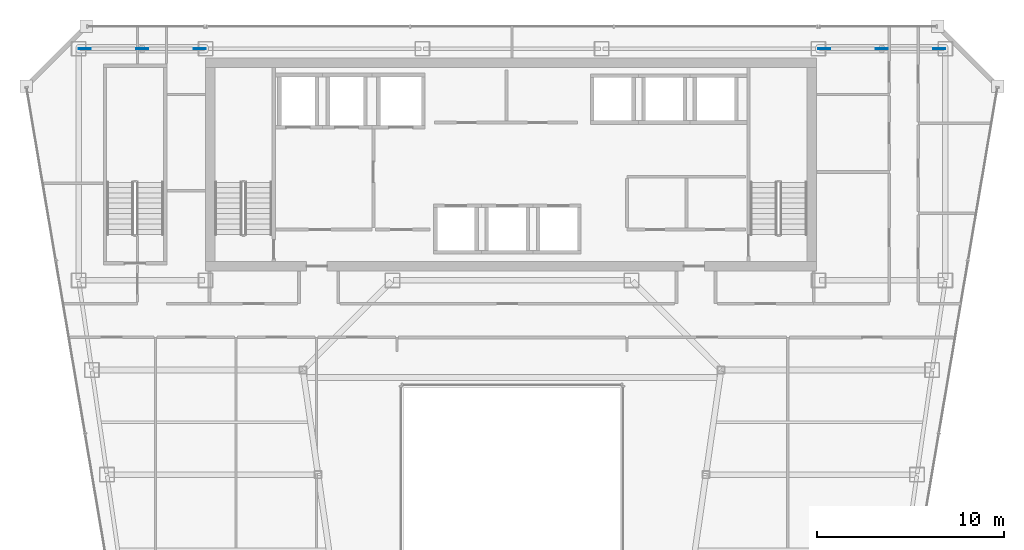
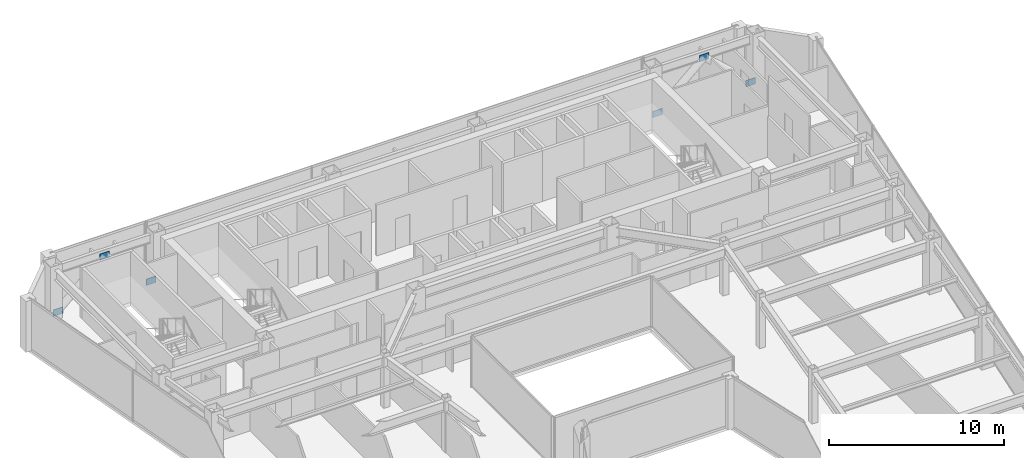
# One storey, part 29 of 35: 6 plates.
"""IFC4 building model written with IfcOpenShell, lengths in metres."""

import ifcopenshell
import ifcopenshell.guid

model = None  # the IFC model being written
_history = None  # IfcOwnerHistory: only IFC2X3 demands one
_inside = {}  # id of a spatial element -> (the spatial element, [elements in it])
_under = {}  # id of a project, library or spatial element -> (it, [spatial elements below it])
_declared = {}  # id of a project -> (the project, [libraries it declares])
_typed = {}  # id of a type object -> (the type object, [elements of that type])
_made_of = {}  # id of a material, layer set ... -> (it, [elements and type objects made of it])


def new_model(schema):
    """Start an empty IFC model of exactly this schema.

    Asked for "IFC4X3", IfcOpenShell would pick the latest addendum, in which some entities
    have other attributes; the version numbers below select the first issue.
    IFC2X3 requires an IfcOwnerHistory on every rooted entity: one is made here for all.
    """
    global model, _history
    if schema == "IFC4X3":
        model = ifcopenshell.file(schema_version=(4, 3, 0, 0))
    else:
        model = ifcopenshell.file(schema=schema)
    _inside.clear()
    _under.clear()
    _declared.clear()
    _typed.clear()
    _made_of.clear()
    _history = None
    if model.schema == "IFC2X3":
        org = make("IfcOrganization", Name="unknown")
        user = make(
            "IfcPersonAndOrganization",
            ThePerson=make("IfcPerson", FamilyName="unknown"),
            TheOrganization=org,
        )
        app = make(
            "IfcApplication",
            ApplicationDeveloper=org,
            Version="unknown",
            ApplicationFullName="unknown",
            ApplicationIdentifier="unknown",
        )
        _history = make(
            "IfcOwnerHistory",
            OwningUser=user,
            OwningApplication=app,
            ChangeAction="ADDED",
            CreationDate=0,
        )
    return model


def make(cls, **values):
    """One entity of the class cls with the attributes given. An attribute that is None is left unset."""
    return model.create_entity(
        cls, **{name: value for name, value in values.items() if value is not None}
    )


def rooted(cls, **values):
    """An entity with a GlobalId (a new one), such as an element, a storey or a relation."""
    return make(cls, GlobalId=ifcopenshell.guid.new(), OwnerHistory=_history, **values)


def si_unit(unit_type, name, prefix=None):
    """IfcSIUnit, for example si_unit("LENGTHUNIT", "METRE", prefix="MILLI")."""
    return make("IfcSIUnit", UnitType=unit_type, Prefix=prefix, Name=name)


def assignment(units):
    """IfcUnitAssignment: the units of a project."""
    return None if units is None else make("IfcUnitAssignment", Units=units)


def point(xyz):
    """IfcCartesianPoint."""
    return None if xyz is None else make("IfcCartesianPoint", Coordinates=xyz)


def direction(xyz):
    """IfcDirection."""
    return None if xyz is None else make("IfcDirection", DirectionRatios=xyz)


def frame(location, z_axis=None, x_axis=None):
    """IfcAxis2Placement3D, a coordinate frame: its origin and axes. An axis left out is left unset."""
    return make(
        "IfcAxis2Placement3D",
        Location=point(location),
        Axis=direction(z_axis),
        RefDirection=direction(x_axis),
    )


def frame_2d(location, x_axis=None):
    """IfcAxis2Placement2D, a coordinate frame in the plane: its origin and x axis."""
    return make(
        "IfcAxis2Placement2D", Location=point(location), RefDirection=direction(x_axis)
    )


def origin():
    """The frame at (0, 0, 0) with its axes left unset."""
    return frame((0.0, 0.0, 0.0))


def origin_2d():
    """The frame at (0, 0) in the plane with its x axis left unset."""
    return frame_2d((0.0, 0.0))


def place(relative_to, where):
    """IfcLocalPlacement: puts the frame where relative to a parent placement (None: the world)."""
    return make(
        "IfcLocalPlacement", PlacementRelTo=relative_to, RelativePlacement=where
    )


def context(
    kind, dimensions, precision=None, world=None, true_north=None, identifier=None
):
    """IfcGeometricRepresentationContext, for example the 3D "Model" context."""
    return make(
        "IfcGeometricRepresentationContext",
        ContextIdentifier=identifier,
        ContextType=kind,
        CoordinateSpaceDimension=dimensions,
        Precision=precision,
        WorldCoordinateSystem=world,
        TrueNorth=true_north,
    )


def subcontext(parent, identifier, kind, view, scale=None):
    """IfcGeometricRepresentationSubContext, for example "Body" below "Model"."""
    return make(
        "IfcGeometricRepresentationSubContext",
        ContextIdentifier=identifier,
        ContextType=kind,
        ParentContext=parent,
        TargetScale=scale,
        TargetView=view,
    )


def project(units=None, contexts=None):
    """IfcProject with its units and contexts."""
    return rooted(
        "IfcProject",
        Name="project",
        RepresentationContexts=contexts,
        UnitsInContext=assignment(units),
    )


def spatial(cls, under=None, at=None, **own):
    """A site, building, storey or space (cls), placed at a placement, below another one or the project."""
    s = rooted(cls, ObjectPlacement=at, **own)
    if under is not None:
        _under.setdefault(under.id(), (under, []))[1].append(s)
    return s


def profile(cls, at=None, kind="AREA", **sizes):
    """A parametric profile (cls). Its sizes go by their IFC names, for example OverallWidth=200.0."""
    return make(cls, ProfileType=kind, Position=at, **sizes)


def rectangle(**sizes):
    """IfcRectangleProfileDef."""
    return profile("IfcRectangleProfileDef", **sizes)


def extrude(swept, where, along, depth):
    """IfcExtrudedAreaSolid: the profile swept, set in the frame where, extruded along a direction by depth."""
    return make(
        "IfcExtrudedAreaSolid",
        SweptArea=swept,
        Position=where,
        ExtrudedDirection=direction(along),
        Depth=depth,
    )


def shape(context_of_items, identifier, shape_type, items):
    """IfcShapeRepresentation: the items that make up one representation, for example the "Body"."""
    return make(
        "IfcShapeRepresentation",
        ContextOfItems=context_of_items,
        RepresentationIdentifier=identifier,
        RepresentationType=shape_type,
        Items=items,
    )


def material(Name=None, Category=None):
    """IfcMaterial."""
    return make("IfcMaterial", Name=Name, Category=Category)


def layer(
    of_material, thickness, ventilated=None, Name=None, Category=None, Priority=None
):
    """IfcMaterialLayer: one layer of a wall or slab, of a material (None: an air gap)."""
    return make(
        "IfcMaterialLayer",
        Material=of_material,
        LayerThickness=thickness,
        IsVentilated=ventilated,
        Name=Name,
        Category=Category,
        Priority=Priority,
    )


def layer_set(layers, Name=None):
    """IfcMaterialLayerSet."""
    return make("IfcMaterialLayerSet", MaterialLayers=layers, LayerSetName=Name)


def made_of(thing, what):
    """Note that an element or type object is made of a material, layer set ...; save() writes the relation."""
    if what is not None:
        _made_of.setdefault(what.id(), (what, []))[1].append(thing)
    return thing


def type_object(cls, material=None, **own):
    """A type object (cls), such as IfcWallType, which elements share."""
    return made_of(rooted(cls, **own), material)


def element(
    cls,
    number,
    at=None,
    inside=None,
    cuts=None,
    type_object=None,
    material=None,
    context=None,
    identifier="Body",
    shape_type=None,
    held_by="IfcProductDefinitionShape",
    body=None,
    shapes=None,
    **own,
):
    """One element of the class cls, such as IfcWall. Its Tag is "e" and its number.

    at: its placement. inside: the storey or other place that contains it. cuts: it is an
    opening in that element (IfcRelVoidsElement). A single representation is given by context,
    identifier, shape_type and body (its items); several are given by shapes. held_by: the class
    of the entity that holds the representations. save() writes the other relations.
    """
    e = rooted(cls, Tag="e%d" % number, ObjectPlacement=at, **own)
    if body is not None:
        shapes = [shape(context, identifier, shape_type, body)]
    if shapes is not None:
        e.Representation = make(held_by, Representations=shapes)
    if inside is not None:
        _inside.setdefault(inside.id(), (inside, []))[1].append(e)
    if cuts is not None:
        rooted(
            "IfcRelVoidsElement", RelatingBuildingElement=cuts, RelatedOpeningElement=e
        )
    if type_object is not None:
        _typed.setdefault(type_object.id(), (type_object, []))[1].append(e)
    return made_of(e, material)


def aggregate(whole, parts):
    """IfcRelAggregates: a whole, such as a stair, and the parts it consists of."""
    return rooted("IfcRelAggregates", RelatingObject=whole, RelatedObjects=parts)


def save(model, path):
    """Write the relations noted so far, then the file.

    IfcRelAggregates (storeys below a building ...), IfcRelContainedInSpatialStructure (elements
    in a storey), IfcRelDefinesByType, IfcRelAssociatesMaterial and IfcRelDeclares: one each for
    every whole, place, type object, material and project.
    """
    for whole, parts in _under.values():
        aggregate(whole, parts)
    for where, things in _inside.values():
        rooted(
            "IfcRelContainedInSpatialStructure",
            RelatedElements=things,
            RelatingStructure=where,
        )
    for kind, things in _typed.values():
        rooted("IfcRelDefinesByType", RelatedObjects=things, RelatingType=kind)
    for what, things in _made_of.values():
        rooted("IfcRelAssociatesMaterial", RelatedObjects=things, RelatingMaterial=what)
    for by, libraries in _declared.values():
        rooted("IfcRelDeclares", RelatingContext=by, RelatedDefinitions=libraries)
    model.write(path)


model = new_model("IFC4")

# Units and contexts
model_context = context("Model", 3, precision=1e-05, world=origin(), true_north=direction((0.0, 1.0)))
body_context = subcontext(model_context, "Body", "Model", "MODEL_VIEW")
ifc_project = project(units=[si_unit("LENGTHUNIT", "METRE"), si_unit("AREAUNIT", "SQUARE_METRE"), si_unit("VOLUMEUNIT", "CUBIC_METRE"), si_unit("PLANEANGLEUNIT", "RADIAN"), si_unit("MASSUNIT", "GRAM", prefix="KILO")], contexts=[model_context])

# Site, building, storey
site_placement = place(None, origin())
site = spatial("IfcSite", under=ifc_project, at=site_placement, CompositionType="ELEMENT")
building_placement = place(site_placement, origin())
building = spatial("IfcBuilding", under=site, at=building_placement, Name="Saevonmaru Cultural Tower", CompositionType="ELEMENT")
storey_placement = place(building_placement, frame((0.0, 0.0, 194.199951171875)))
storey = spatial("IfcBuildingStorey", under=building, at=storey_placement, Name="L44", CompositionType="ELEMENT", Elevation=194.199951171875)

# Plates
ifc_material = material(Name="Steel HSA600 (600 MPa)", Category="steel")
ifc_layer = layer(ifc_material, 0.0400390625, Name="Steel HSA600 (600 MPa)")
ifc_layer_set = layer_set([ifc_layer], Name="Steel HSA600 (600 MPa)")
plate_type = type_object("IfcPlateType", Name="PL-GUSSET-EXT", PredefinedType="USERDEFINED", material=ifc_layer_set)
for number, where, z_axis, x_axis, name in (
    (1, (10.199951171875, 54.800048828125, 2.85009765625), (0.0, 0.0, 1.0), (1.0, 0.0, 0.0), "L44 Perimeter Tube Gusset Plate"),
    (2, (7.1201171875, 54.800048828125, 0.02001953125), (0.0, 0.0, 1.0), (1.0, 0.0, 0.0), "L44 Perimeter Tube Gusset Plate"),
    (3, (13.280029296875, 54.800048828125, 0.02001953125), (0.0, 0.0, 1.0), (1.0, 0.0, 0.0), "L44 Perimeter Tube Gusset Plate"),
    (4, (49.800048828125, 54.800048828125, 2.85009765625), (0.0, 0.0, 1.0), (1.0, 0.0, 0.0), "L44 Perimeter Tube Gusset Plate"),
    (5, (46.719970703125, 54.800048828125, 0.02001953125), (0.0, 0.0, 1.0), (1.0, 0.0, 0.0), "L44 Perimeter Tube Gusset Plate"),
    (6, (52.8798828125, 54.800048828125, 0.02001953125), (0.0, 0.0, 1.0), (1.0, 0.0, 0.0), "L44 Perimeter Tube Gusset Plate"),
):
    element("IfcPlate", number, at=place(storey_placement, frame(where, z_axis=z_axis, x_axis=x_axis)), inside=storey, type_object=plate_type, Name=name, ObjectType="GUSSET_PLATE", PredefinedType="USERDEFINED", context=body_context, shape_type="SweptSolid", body=[
        extrude(rectangle(XDim=0.639892578125, YDim=0.0400390625, at=origin_2d()), origin(), (0.0, 0.0, 1.0), 0.43994140625),
    ])

save(model, "model.ifc")
